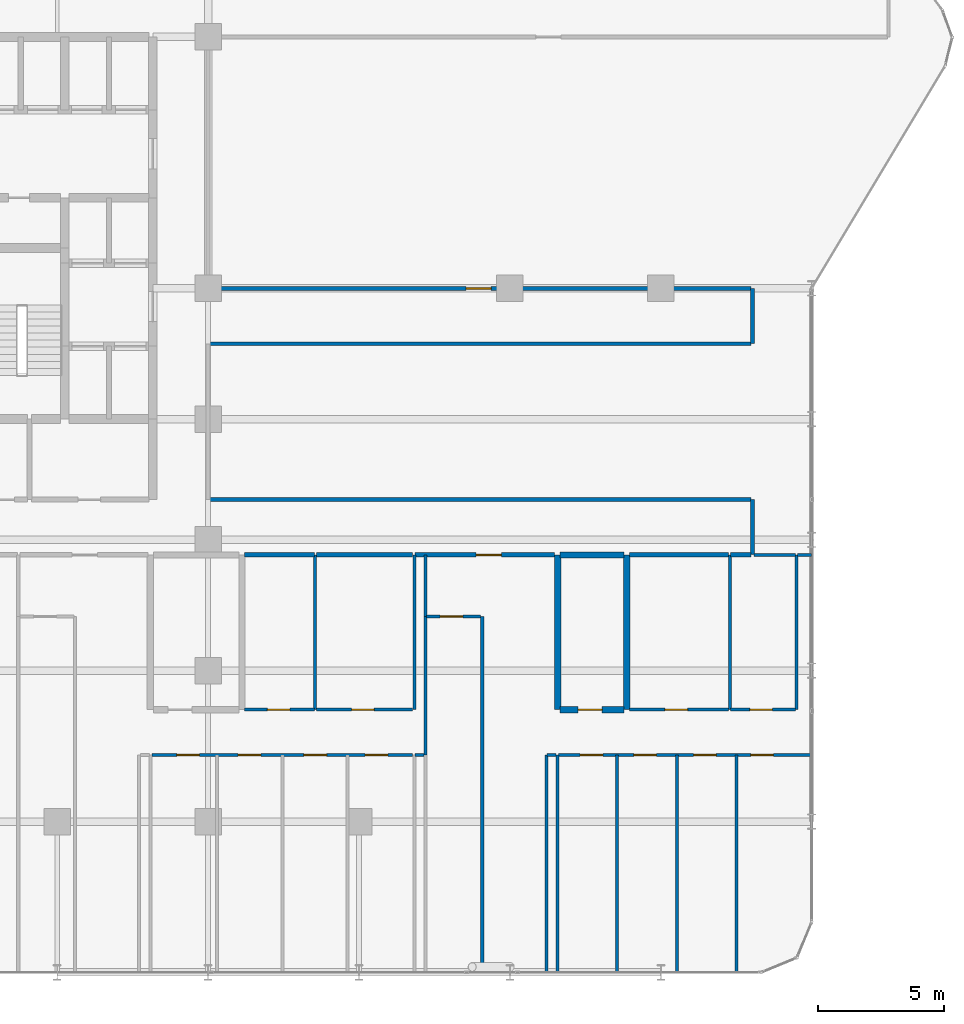
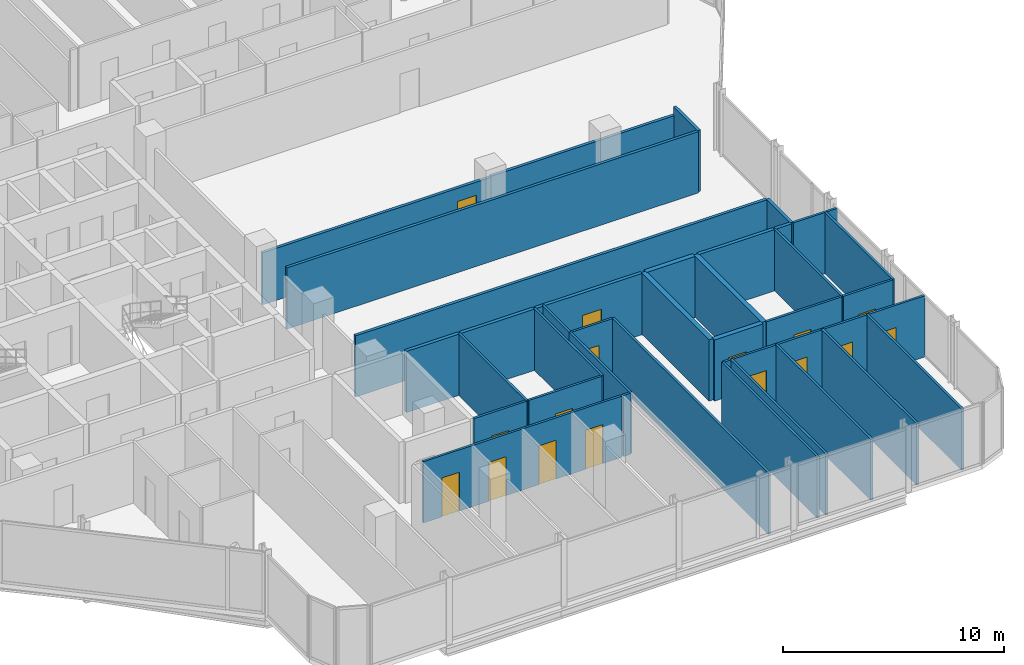
# One storey, part 26 of 30: 38 walls, 16 doors, 16 openings.
"""IFC4 building model written with IfcOpenShell, lengths in metres."""

from ifc_helpers import new_model, si_unit, direction, frame, frame_2d, origin, place, context, subcontext, project, spatial, rectangle, extrude, material, layer, layer_set, type_object, element, fill, save


model = new_model("IFC4")

# Units and contexts
model_context = context("Model", 3, precision=1e-05, world=origin(), true_north=direction((0.0, 1.0)))
body_context = subcontext(model_context, "Body", "Model", "MODEL_VIEW")
ifc_project = project(units=[si_unit("LENGTHUNIT", "METRE"), si_unit("AREAUNIT", "SQUARE_METRE"), si_unit("VOLUMEUNIT", "CUBIC_METRE"), si_unit("PLANEANGLEUNIT", "RADIAN"), si_unit("MASSUNIT", "GRAM", prefix="KILO")], contexts=[model_context])

# Site, building, storey
site_placement = place(None, origin())
site = spatial("IfcSite", under=ifc_project, at=site_placement, CompositionType="ELEMENT")
building_placement = place(site_placement, origin())
building = spatial("IfcBuilding", under=site, at=building_placement, Name="Keshet Zoharim Tower", CompositionType="ELEMENT")
storey_placement = place(building_placement, frame((0.0, 0.0, 90.89990234375)))
storey = spatial("IfcBuildingStorey", under=building, at=storey_placement, Name="L21", CompositionType="ELEMENT", Elevation=90.89990234375)

# Walls
ifc_material_1 = material(Name="Gypsum Plasterboard", Category="gypsum")
ifc_layer_1 = layer(ifc_material_1, 0.14990234375)
ifc_layer_set_1 = layer_set([ifc_layer_1], Name="Gypsum Plasterboard")
wall_type_1 = type_object("IfcWallType", Name="WL-CLIN-150", PredefinedType="STANDARD", material=ifc_layer_set_1)
wall_1_placement = place(storey_placement, frame((54.64990234375, 17.31005859375, 0.0), z_axis=(0.0, 0.0, 1.0), x_axis=(0.0, 1.0, 0.0)))
element("IfcWall", 1, at=wall_1_placement, inside=storey, type_object=wall_type_1, Name="L21 Interior Wall 108", PredefinedType="STANDARD", context=body_context, shape_type="SweptSolid", body=[
    extrude(rectangle(XDim=2.18994140625, YDim=0.14990234375, at=frame_2d((1.094970703125, 0.0))), origin(), (0.0, 0.0, 1.0), 3.385009765625),
])
wall_2_placement = place(storey_placement, frame((54.64990234375, 25.699951171875, 0.0), z_axis=(0.0, 0.0, 1.0), x_axis=(0.0, 1.0, 0.0)))
element("IfcWall", 2, at=wall_2_placement, inside=storey, type_object=wall_type_1, Name="L21 Interior Wall 109", PredefinedType="STANDARD", context=body_context, shape_type="SweptSolid", body=[
    extrude(rectangle(XDim=2.199951171875, YDim=0.14990234375, at=frame_2d((1.10009765625, 0.0))), origin(), (0.0, 0.0, 1.0), 3.385009765625),
])
for number, where, z_axis, x_axis, name in (
    (3, (33.070068359375, 19.5, 0.0), (0.0, 0.0, 1.0), (1.0, 0.0, 0.0), "L21 Interior Wall 146"),
    (4, (33.070068359375, 25.699951171875, 0.0), (0.0, 0.0, 1.0), (1.0, 0.0, 0.0), "L21 Interior Wall 160"),
):
    element("IfcWall", number, at=place(storey_placement, frame(where, z_axis=z_axis, x_axis=x_axis)), inside=storey, type_object=wall_type_1, Name=name, PredefinedType="STANDARD", context=body_context, shape_type="SweptSolid", body=[
        extrude(rectangle(XDim=21.510009765625, YDim=0.14990234375, at=frame_2d((10.7548828125, 0.0))), origin(), (0.0, 0.0, 1.0), 3.385009765625),
    ])

# Wall, opening, door
wall_3_placement = place(storey_placement, frame((33.070068359375, 27.89990234375, 0.0), z_axis=(0.0, 0.0, 1.0), x_axis=(1.0, 0.0, 0.0)))
wall_3 = element("IfcWall", 5, at=wall_3_placement, inside=storey, type_object=wall_type_1, Name="L21 Interior Wall 161", PredefinedType="STANDARD", context=body_context, shape_type="SweptSolid", body=[
    extrude(rectangle(XDim=11.929931640625, YDim=0.14990234375, at=frame_2d((5.96484375, 0.0))), origin(), (0.0, 0.0, 1.0), 2.885009765625),
])
opening_1_placement = place(wall_3_placement, frame((10.18505859375, 0.0, 0.0)))
opening_1 = element("IfcOpeningElement", 6, at=opening_1_placement, cuts=wall_3, Name="Opening D-F310", PredefinedType="OPENING", context=body_context, shape_type="SweptSolid", body=[
    extrude(rectangle(XDim=1.0, YDim=2.14990234375, at=frame_2d((0.5, 1.074951171875))), frame((0.0, 0.0849609375, 0.0), z_axis=(0.0, -1.0, 0.0), x_axis=(1.0, 0.0, 0.0)), (0.0, 0.0, 1.0), 0.169921875),
])
ifc_material_2 = material(Name="Hardwood Timber", Category="wood")
door_type_1 = type_object("IfcDoorType", Name="DR-FD30-100", OperationType="NOTDEFINED", PredefinedType="DOOR", material=ifc_material_2)
door_1_placement = place(opening_1_placement, origin())
door_1 = element("IfcDoor", 7, at=door_1_placement, inside=storey, type_object=door_type_1, Name="L21 North East Residents Services Suite Door 2", OperationType="SINGLE_SWING_LEFT", OverallHeight=2.14990234375, OverallWidth=1.0, PredefinedType="DOOR", context=body_context, shape_type="SweptSolid", body=[
    extrude(rectangle(XDim=1.0, YDim=2.14990234375, at=frame_2d((0.5, 1.074951171875))), frame((0.0, 0.02490234375, 0.0), z_axis=(0.0, -1.0, 0.0), x_axis=(1.0, 0.0, 0.0)), (0.0, 0.0, 1.0), 0.050048828125),
])
fill(opening_1, door_1)

# Walls
wall_4_placement = place(storey_placement, frame((45.0, 27.89990234375, 0.0), z_axis=(0.0, 0.0, 1.0), x_axis=(1.0, 0.0, 0.0)))
element("IfcWall", 8, at=wall_4_placement, inside=storey, type_object=wall_type_1, Name="L21 Interior Wall 161 Part 2", PredefinedType="STANDARD", context=body_context, shape_type="SweptSolid", body=[
    extrude(rectangle(XDim=9.580078125, YDim=0.14990234375, at=frame_2d((4.7900390625, 0.0))), origin(), (0.0, 0.0, 1.0), 2.93505859375),
])
ifc_layer_2 = layer(ifc_material_1, 0.179931640625)
ifc_layer_set_2 = layer_set([ifc_layer_2], Name="Gypsum Plasterboard")
wall_type_2 = type_object("IfcWallType", Name="WL-CORR-180", PredefinedType="STANDARD", material=ifc_layer_set_2)
wall_5_placement = place(storey_placement, frame((34.448974609375, 17.300048828125, 0.0), z_axis=(0.0, 0.0, 1.0), x_axis=(1.0, 0.0, 0.0)))
element("IfcWall", 9, at=wall_5_placement, inside=storey, type_object=wall_type_2, Name="L21 Interior Wall 134", PredefinedType="STANDARD", context=body_context, shape_type="SweptSolid", body=[
    extrude(rectangle(XDim=2.77392578125, YDim=0.179931640625, at=frame_2d((1.386962890625, 0.0))), origin(), (0.0, 0.0, 1.0), 3.385009765625),
])
wall_6_placement = place(storey_placement, frame((37.31298828125, 17.300048828125, 0.0), z_axis=(0.0, 0.0, 1.0), x_axis=(1.0, 0.0, 0.0)))
element("IfcWall", 10, at=wall_6_placement, inside=storey, type_object=wall_type_2, Name="L21 Interior Wall 135", PredefinedType="STANDARD", context=body_context, shape_type="SweptSolid", body=[
    extrude(rectangle(XDim=3.822021484375, YDim=0.179931640625, at=frame_2d((1.9111328125, 0.0))), origin(), (0.0, 0.0, 1.0), 3.385009765625),
])

# Wall, opening, door
wall_7_placement = place(storey_placement, frame((41.22509765625, 17.300048828125, 0.0), z_axis=(0.0, 0.0, 1.0), x_axis=(1.0, 0.0, 0.0)))
wall_7 = element("IfcWall", 11, at=wall_7_placement, inside=storey, type_object=wall_type_2, Name="L21 Interior Wall 136", PredefinedType="STANDARD", context=body_context, shape_type="SweptSolid", body=[
    extrude(rectangle(XDim=5.544921875, YDim=0.179931640625, at=frame_2d((2.7724609375, 0.0))), origin(), (0.0, 0.0, 1.0), 3.385009765625),
])
opening_2_placement = place(wall_7_placement, frame((2.43505859375, 0.0, 0.0)))
opening_2 = element("IfcOpeningElement", 12, at=opening_2_placement, cuts=wall_7, Name="Opening D-F310", PredefinedType="OPENING", context=body_context, shape_type="SweptSolid", body=[
    extrude(rectangle(XDim=1.0, YDim=2.14990234375, at=frame_2d((0.5, 1.074951171875))), frame((0.0, 0.10009765625, 0.0), z_axis=(0.0, -1.0, 0.0), x_axis=(1.0, 0.0, 0.0)), (0.0, 0.0, 1.0), 0.199951171875),
])
door_2_placement = place(opening_2_placement, origin())
door_2 = element("IfcDoor", 13, at=door_2_placement, inside=storey, type_object=door_type_1, Name="Apartment 2103 Entrance Door", OperationType="SINGLE_SWING_LEFT", OverallHeight=2.14990234375, OverallWidth=1.0, PredefinedType="DOOR", context=body_context, shape_type="SweptSolid", body=[
    extrude(rectangle(XDim=1.0, YDim=2.14990234375, at=frame_2d((0.5, 1.074951171875))), frame((0.0, 0.02490234375, 0.0), z_axis=(0.0, -1.0, 0.0), x_axis=(1.0, 0.0, 0.0)), (0.0, 0.0, 1.0), 0.050048828125),
])
fill(opening_2, door_2)

# Walls
wall_8_placement = place(storey_placement, frame((49.748046875, 17.300048828125, 0.0), z_axis=(0.0, 0.0, 1.0), x_axis=(1.0, 0.0, 0.0)))
element("IfcWall", 14, at=wall_8_placement, inside=storey, type_object=wall_type_2, Name="L21 Interior Wall 138", PredefinedType="STANDARD", context=body_context, shape_type="SweptSolid", body=[
    extrude(rectangle(XDim=3.933837890625, YDim=0.179931640625, at=frame_2d((1.966796875, 0.0))), origin(), (0.0, 0.0, 1.0), 3.385009765625),
])
wall_9_placement = place(storey_placement, frame((53.77197265625, 17.300048828125, 0.0), z_axis=(0.0, 0.0, 1.0), x_axis=(1.0, 0.0, 0.0)))
element("IfcWall", 15, at=wall_9_placement, inside=storey, type_object=wall_type_2, Name="L21 Interior Wall 139", PredefinedType="STANDARD", context=body_context, shape_type="SweptSolid", body=[
    extrude(rectangle(XDim=0.80810546875, YDim=0.179931640625, at=frame_2d((0.404052734375, 0.0))), origin(), (0.0, 0.0, 1.0), 3.385009765625),
])
ifc_material_3 = material(Name="Concrete C50/60", Category="concrete")
ifc_layer_3 = layer(ifc_material_3, 0.25)
ifc_layer_set_3 = layer_set([ifc_layer_3], Name="Concrete C50/60")
wall_type_3 = type_object("IfcWallType", Name="WL-MAMAD-250", PredefinedType="STANDARD", material=ifc_layer_set_3)
for number, where, z_axis, x_axis, name in (
    (16, (46.89990234375, 11.14990234375, 0.0), (0.0, 0.0, 1.0), (0.0, 1.0, 0.0), "L21 Interior Wall 097"),
    (17, (49.64990234375, 11.14990234375, 0.0), (0.0, 0.0, 1.0), (0.0, 1.0, 0.0), "L21 Interior Wall 100"),
):
    element("IfcWall", number, at=place(storey_placement, frame(where, z_axis=z_axis, x_axis=x_axis)), inside=storey, type_object=wall_type_3, Name=name, PredefinedType="STANDARD", context=body_context, shape_type="SweptSolid", body=[
        extrude(rectangle(XDim=6.150146484375, YDim=0.25, at=frame_2d((3.0751953125, 0.0))), origin(), (0.0, 0.0, 1.0), 3.385009765625),
    ])

# Wall, opening, door
wall_10_placement = place(storey_placement, frame((46.989990234375, 11.14990234375, 0.0), z_axis=(0.0, 0.0, 1.0), x_axis=(1.0, 0.0, 0.0)))
wall_10 = element("IfcWall", 18, at=wall_10_placement, inside=storey, type_object=wall_type_3, Name="L21 Interior Wall 121", PredefinedType="STANDARD", context=body_context, shape_type="SweptSolid", body=[
    extrude(rectangle(XDim=2.5380859375, YDim=0.25, at=frame_2d((1.26904296875, 0.0))), origin(), (0.0, 0.0, 1.0), 3.385009765625),
])
opening_3_placement = place(wall_10_placement, frame((0.721923828125, 0.0, 0.0)))
opening_3 = element("IfcOpeningElement", 19, at=opening_3_placement, cuts=wall_10, Name="Opening D-F695", PredefinedType="OPENING", context=body_context, shape_type="SweptSolid", body=[
    extrude(rectangle(XDim=0.949951171875, YDim=2.14990234375, at=frame_2d((0.47509765625, 1.074951171875))), frame((0.0, 0.135009765625, 0.0), z_axis=(0.0, -1.0, 0.0), x_axis=(1.0, 0.0, 0.0)), (0.0, 0.0, 1.0), 0.27001953125),
])
door_type_2 = type_object("IfcDoorType", Name="DR-FD60-095", OperationType="NOTDEFINED", PredefinedType="DOOR", material=ifc_material_2)
door_3_placement = place(opening_3_placement, origin())
door_3 = element("IfcDoor", 20, at=door_3_placement, inside=storey, type_object=door_type_2, Name="Apartment 2103 Study and Shelter Room Door", OperationType="SINGLE_SWING_RIGHT", OverallHeight=2.14990234375, OverallWidth=0.949951171875, PredefinedType="DOOR", context=body_context, shape_type="SweptSolid", body=[
    extrude(rectangle(XDim=0.949951171875, YDim=2.14990234375, at=frame_2d((0.47509765625, 1.074951171875))), frame((0.0, 0.02490234375, 0.0), z_axis=(0.0, -1.0, 0.0), x_axis=(1.0, 0.0, 0.0)), (0.0, 0.0, 1.0), 0.050048828125),
])
fill(opening_3, door_3)

# Walls
wall_11_placement = place(storey_placement, frame((46.989990234375, 17.300048828125, 0.0), z_axis=(0.0, 0.0, 1.0), x_axis=(1.0, 0.0, 0.0)))
element("IfcWall", 21, at=wall_11_placement, inside=storey, type_object=wall_type_3, Name="L21 Interior Wall 137", PredefinedType="STANDARD", context=body_context, shape_type="SweptSolid", body=[
    extrude(rectangle(XDim=2.5380859375, YDim=0.25, at=frame_2d((1.26904296875, 0.0))), origin(), (0.0, 0.0, 1.0), 3.385009765625),
])
ifc_layer_4 = layer(ifc_material_1, 0.1201171875)
ifc_layer_set_4 = layer_set([ifc_layer_4], Name="Gypsum Plasterboard")
wall_type_4 = type_object("IfcWallType", Name="WL-PART-120", PredefinedType="PARTITIONING", material=ifc_layer_set_4)
wall_12_placement = place(storey_placement, frame((41.199951171875, 11.14990234375, 0.0), z_axis=(0.0, 0.0, 1.0), x_axis=(0.0, 1.0, 0.0)))
element("IfcWall", 22, at=wall_12_placement, inside=storey, type_object=wall_type_4, Name="L21 Interior Wall 084", PredefinedType="PARTITIONING", context=body_context, shape_type="SweptSolid", body=[
    extrude(rectangle(XDim=6.150146484375, YDim=0.1201171875, at=frame_2d((3.0751953125, 0.0))), origin(), (0.0, 0.0, 1.0), 3.385009765625),
])
wall_13_placement = place(storey_placement, frame((41.64990234375, 9.35009765625, 0.0), z_axis=(0.0, 0.0, 1.0), x_axis=(0.0, 1.0, 0.0)))
element("IfcWall", 23, at=wall_13_placement, inside=storey, type_object=wall_type_4, Name="L21 Interior Wall 086", PredefinedType="PARTITIONING", context=body_context, shape_type="SweptSolid", body=[
    extrude(rectangle(XDim=5.5, YDim=0.1201171875, at=frame_2d((2.75, 0.0))), origin(), (0.0, 0.0, 1.0), 3.385009765625),
])
wall_14_placement = place(storey_placement, frame((41.64990234375, 14.85009765625, 0.0), z_axis=(0.0, 0.0, 1.0), x_axis=(0.0, 1.0, 0.0)))
element("IfcWall", 24, at=wall_14_placement, inside=storey, type_object=wall_type_4, Name="L21 Interior Wall 087", PredefinedType="PARTITIONING", context=body_context, shape_type="SweptSolid", body=[
    extrude(rectangle(XDim=2.449951171875, YDim=0.1201171875, at=frame_2d((1.22509765625, 0.0))), origin(), (0.0, 0.0, 1.0), 3.385009765625),
])
wall_15_placement = place(storey_placement, frame((43.89990234375, 0.7099609375, 0.0), z_axis=(0.0, 0.0, 1.0), x_axis=(0.0, 1.0, 0.0)))
element("IfcWall", 25, at=wall_15_placement, inside=storey, type_object=wall_type_4, Name="L21 Interior Wall 089", PredefinedType="PARTITIONING", context=body_context, shape_type="SweptSolid", body=[
    extrude(rectangle(XDim=14.14013671875, YDim=0.1201171875, at=frame_2d((7.070068359375, 0.0))), origin(), (0.0, 0.0, 1.0), 3.385009765625),
])
for number, where, z_axis, x_axis, name in (
    (26, (46.449951171875, 0.7099609375, 0.0), (0.0, 0.0, 1.0), (0.0, 1.0, 0.0), "L21 Interior Wall 095"),
    (27, (46.89990234375, 0.7099609375, 0.0), (0.0, 0.0, 1.0), (0.0, 1.0, 0.0), "L21 Interior Wall 096"),
    (28, (49.25, 0.7099609375, 0.0), (0.0, 0.0, 1.0), (0.0, 1.0, 0.0), "L21 Interior Wall 099"),
    (29, (51.64990234375, 0.7099609375, 0.0), (0.0, 0.0, 1.0), (0.0, 1.0, 0.0), "L21 Interior Wall 104"),
    (30, (54.0, 0.7099609375, 0.0), (0.0, 0.0, 1.0), (0.0, 1.0, 0.0), "L21 Interior Wall 106"),
):
    element("IfcWall", number, at=place(storey_placement, frame(where, z_axis=z_axis, x_axis=x_axis)), inside=storey, type_object=wall_type_4, Name=name, PredefinedType="PARTITIONING", context=body_context, shape_type="SweptSolid", body=[
        extrude(rectangle(XDim=8.64013671875, YDim=0.1201171875, at=frame_2d((4.320068359375, 0.0))), origin(), (0.0, 0.0, 1.0), 3.385009765625),
    ])

# Wall, openings, doors
wall_16_placement = place(storey_placement, frame((30.764892578125, 9.35009765625, 0.0), z_axis=(0.0, 0.0, 1.0), x_axis=(1.0, 0.0, 0.0)))
wall_16 = element("IfcWall", 31, at=wall_16_placement, inside=storey, type_object=wall_type_4, Name="L21 Interior Wall 114", PredefinedType="PARTITIONING", context=body_context, shape_type="SweptSolid", body=[
    extrude(rectangle(XDim=10.3701171875, YDim=0.1201171875, at=frame_2d((5.18505859375, 0.0))), origin(), (0.0, 0.0, 1.0), 3.385009765625),
])
opening_4_placement = place(wall_16_placement, frame((0.988037109375, 0.0, 0.0)))
opening_4 = element("IfcOpeningElement", 32, at=opening_4_placement, cuts=wall_16, Name="Opening D-IN90", PredefinedType="OPENING", context=body_context, shape_type="SweptSolid", body=[
    extrude(rectangle(XDim=0.89990234375, YDim=2.14990234375, at=frame_2d((0.449951171875, 1.074951171875))), frame((0.0, 0.070068359375, 0.0), z_axis=(0.0, -1.0, 0.0), x_axis=(1.0, 0.0, 0.0)), (0.0, 0.0, 1.0), 0.14013671875),
])
opening_5_placement = place(wall_16_placement, frame((3.427978515625, 0.0, 0.0)))
opening_5 = element("IfcOpeningElement", 33, at=opening_5_placement, cuts=wall_16, Name="Opening D-IN90", PredefinedType="OPENING", context=body_context, shape_type="SweptSolid", body=[
    extrude(rectangle(XDim=0.89990234375, YDim=2.14990234375, at=frame_2d((0.449951171875, 1.074951171875))), frame((0.0, 0.070068359375, 0.0), z_axis=(0.0, -1.0, 0.0), x_axis=(1.0, 0.0, 0.0)), (0.0, 0.0, 1.0), 0.14013671875),
])
opening_6_placement = place(wall_16_placement, frame((6.04296875, 0.0, 0.0)))
opening_6 = element("IfcOpeningElement", 34, at=opening_6_placement, cuts=wall_16, Name="Opening D-IN90", PredefinedType="OPENING", context=body_context, shape_type="SweptSolid", body=[
    extrude(rectangle(XDim=0.89990234375, YDim=2.14990234375, at=frame_2d((0.449951171875, 1.074951171875))), frame((0.0, 0.070068359375, 0.0), z_axis=(0.0, -1.0, 0.0), x_axis=(1.0, 0.0, 0.0)), (0.0, 0.0, 1.0), 0.14013671875),
])
opening_7_placement = place(wall_16_placement, frame((8.48193359375, 0.0, 0.0)))
opening_7 = element("IfcOpeningElement", 35, at=opening_7_placement, cuts=wall_16, Name="Opening D-IN90", PredefinedType="OPENING", context=body_context, shape_type="SweptSolid", body=[
    extrude(rectangle(XDim=0.89990234375, YDim=2.14990234375, at=frame_2d((0.449951171875, 1.074951171875))), frame((0.0, 0.070068359375, 0.0), z_axis=(0.0, -1.0, 0.0), x_axis=(1.0, 0.0, 0.0)), (0.0, 0.0, 1.0), 0.14013671875),
])
door_type_3 = type_object("IfcDoorType", Name="DR-INT-090", OperationType="NOTDEFINED", PredefinedType="DOOR", material=ifc_material_2)
door_4_placement = place(opening_4_placement, origin())
door_4 = element("IfcDoor", 36, at=door_4_placement, inside=storey, type_object=door_type_3, Name="Apartment 2102 Bedroom 1 Door", OperationType="SINGLE_SWING_LEFT", OverallHeight=2.14990234375, OverallWidth=0.89990234375, PredefinedType="DOOR", context=body_context, shape_type="SweptSolid", body=[
    extrude(rectangle(XDim=0.89990234375, YDim=2.14990234375, at=frame_2d((0.449951171875, 1.074951171875))), frame((0.0, 0.02490234375, 0.0), z_axis=(0.0, -1.0, 0.0), x_axis=(1.0, 0.0, 0.0)), (0.0, 0.0, 1.0), 0.050048828125),
])
fill(opening_4, door_4)
door_5_placement = place(opening_5_placement, origin())
door_5 = element("IfcDoor", 37, at=door_5_placement, inside=storey, type_object=door_type_3, Name="Apartment 2102 Bedroom 2 Door", OperationType="SINGLE_SWING_RIGHT", OverallHeight=2.14990234375, OverallWidth=0.89990234375, PredefinedType="DOOR", context=body_context, shape_type="SweptSolid", body=[
    extrude(rectangle(XDim=0.89990234375, YDim=2.14990234375, at=frame_2d((0.449951171875, 1.074951171875))), frame((0.0, 0.02490234375, 0.0), z_axis=(0.0, -1.0, 0.0), x_axis=(1.0, 0.0, 0.0)), (0.0, 0.0, 1.0), 0.050048828125),
])
fill(opening_5, door_5)
door_6_placement = place(opening_6_placement, origin())
door_6 = element("IfcDoor", 38, at=door_6_placement, inside=storey, type_object=door_type_3, Name="Apartment 2102 Bedroom 3 Door", OperationType="SINGLE_SWING_LEFT", OverallHeight=2.14990234375, OverallWidth=0.89990234375, PredefinedType="DOOR", context=body_context, shape_type="SweptSolid", body=[
    extrude(rectangle(XDim=0.89990234375, YDim=2.14990234375, at=frame_2d((0.449951171875, 1.074951171875))), frame((0.0, 0.02490234375, 0.0), z_axis=(0.0, -1.0, 0.0), x_axis=(1.0, 0.0, 0.0)), (0.0, 0.0, 1.0), 0.050048828125),
])
fill(opening_6, door_6)
door_7_placement = place(opening_7_placement, origin())
door_7 = element("IfcDoor", 39, at=door_7_placement, inside=storey, type_object=door_type_3, Name="Apartment 2102 Bedroom 4 Door", OperationType="SINGLE_SWING_RIGHT", OverallHeight=2.14990234375, OverallWidth=0.89990234375, PredefinedType="DOOR", context=body_context, shape_type="SweptSolid", body=[
    extrude(rectangle(XDim=0.89990234375, YDim=2.14990234375, at=frame_2d((0.449951171875, 1.074951171875))), frame((0.0, 0.02490234375, 0.0), z_axis=(0.0, -1.0, 0.0), x_axis=(1.0, 0.0, 0.0)), (0.0, 0.0, 1.0), 0.050048828125),
])
fill(opening_7, door_7)

# Walls
for number, where, z_axis, x_axis, name in (
    (40, (41.22509765625, 9.35009765625, 0.0), (0.0, 0.0, 1.0), (1.0, 0.0, 0.0), "L21 Interior Wall 115"),
    (41, (46.47509765625, 9.35009765625, 0.0), (0.0, 0.0, 1.0), (1.0, 0.0, 0.0), "L21 Interior Wall 116"),
):
    element("IfcWall", number, at=place(storey_placement, frame(where, z_axis=z_axis, x_axis=x_axis)), inside=storey, type_object=wall_type_4, Name=name, PredefinedType="PARTITIONING", context=body_context, shape_type="SweptSolid", body=[
        extrude(rectangle(XDim=0.35986328125, YDim=0.1201171875, at=frame_2d((0.179931640625, 0.0))), origin(), (0.0, 0.0, 1.0), 3.385009765625),
    ])

# Wall, openings, doors
wall_17_placement = place(storey_placement, frame((46.925048828125, 9.35009765625, 0.0), z_axis=(0.0, 0.0, 1.0), x_axis=(1.0, 0.0, 0.0)))
wall_17 = element("IfcWall", 42, at=wall_17_placement, inside=storey, type_object=wall_type_4, Name="L21 Interior Wall 117", PredefinedType="PARTITIONING", context=body_context, shape_type="SweptSolid", body=[
    extrude(rectangle(XDim=10.06494140625, YDim=0.1201171875, at=frame_2d((5.032470703125, 0.0))), origin(), (0.0, 0.0, 1.0), 3.385009765625),
])
opening_8_placement = place(wall_17_placement, frame((0.868896484375, 0.0, 0.0)))
opening_8 = element("IfcOpeningElement", 43, at=opening_8_placement, cuts=wall_17, Name="Opening D-IN90", PredefinedType="OPENING", context=body_context, shape_type="SweptSolid", body=[
    extrude(rectangle(XDim=0.89990234375, YDim=2.14990234375, at=frame_2d((0.449951171875, 1.074951171875))), frame((0.0, 0.070068359375, 0.0), z_axis=(0.0, -1.0, 0.0), x_axis=(1.0, 0.0, 0.0)), (0.0, 0.0, 1.0), 0.14013671875),
])
opening_9_placement = place(wall_17_placement, frame((3.0009765625, 0.0, 0.0)))
opening_9 = element("IfcOpeningElement", 44, at=opening_9_placement, cuts=wall_17, Name="Opening D-IN90", PredefinedType="OPENING", context=body_context, shape_type="SweptSolid", body=[
    extrude(rectangle(XDim=0.89990234375, YDim=2.14990234375, at=frame_2d((0.449951171875, 1.074951171875))), frame((0.0, 0.070068359375, 0.0), z_axis=(0.0, -1.0, 0.0), x_axis=(1.0, 0.0, 0.0)), (0.0, 0.0, 1.0), 0.14013671875),
])
opening_10_placement = place(wall_17_placement, frame((5.3779296875, 0.0, 0.0)))
opening_10 = element("IfcOpeningElement", 45, at=opening_10_placement, cuts=wall_17, Name="Opening D-IN90", PredefinedType="OPENING", context=body_context, shape_type="SweptSolid", body=[
    extrude(rectangle(XDim=0.89990234375, YDim=2.14990234375, at=frame_2d((0.449951171875, 1.074951171875))), frame((0.0, 0.070068359375, 0.0), z_axis=(0.0, -1.0, 0.0), x_axis=(1.0, 0.0, 0.0)), (0.0, 0.0, 1.0), 0.14013671875),
])
opening_11_placement = place(wall_17_placement, frame((7.65087890625, 0.0, 0.0)))
opening_11 = element("IfcOpeningElement", 46, at=opening_11_placement, cuts=wall_17, Name="Opening D-IN90", PredefinedType="OPENING", context=body_context, shape_type="SweptSolid", body=[
    extrude(rectangle(XDim=0.89990234375, YDim=2.14990234375, at=frame_2d((0.449951171875, 1.074951171875))), frame((0.0, 0.070068359375, 0.0), z_axis=(0.0, -1.0, 0.0), x_axis=(1.0, 0.0, 0.0)), (0.0, 0.0, 1.0), 0.14013671875),
])
door_8_placement = place(opening_8_placement, origin())
door_8 = element("IfcDoor", 47, at=door_8_placement, inside=storey, type_object=door_type_3, Name="Apartment 2103 Bedroom 1 Door", OperationType="SINGLE_SWING_LEFT", OverallHeight=2.14990234375, OverallWidth=0.89990234375, PredefinedType="DOOR", context=body_context, shape_type="SweptSolid", body=[
    extrude(rectangle(XDim=0.89990234375, YDim=2.14990234375, at=frame_2d((0.449951171875, 1.074951171875))), frame((0.0, 0.02490234375, 0.0), z_axis=(0.0, -1.0, 0.0), x_axis=(1.0, 0.0, 0.0)), (0.0, 0.0, 1.0), 0.050048828125),
])
fill(opening_8, door_8)
door_9_placement = place(opening_9_placement, origin())
door_9 = element("IfcDoor", 48, at=door_9_placement, inside=storey, type_object=door_type_3, Name="Apartment 2103 Bedroom 2 Door", OperationType="SINGLE_SWING_RIGHT", OverallHeight=2.14990234375, OverallWidth=0.89990234375, PredefinedType="DOOR", context=body_context, shape_type="SweptSolid", body=[
    extrude(rectangle(XDim=0.89990234375, YDim=2.14990234375, at=frame_2d((0.449951171875, 1.074951171875))), frame((0.0, 0.02490234375, 0.0), z_axis=(0.0, -1.0, 0.0), x_axis=(1.0, 0.0, 0.0)), (0.0, 0.0, 1.0), 0.050048828125),
])
fill(opening_9, door_9)
door_10_placement = place(opening_10_placement, origin())
door_10 = element("IfcDoor", 49, at=door_10_placement, inside=storey, type_object=door_type_3, Name="Apartment 2103 Bedroom 3 Door", OperationType="SINGLE_SWING_LEFT", OverallHeight=2.14990234375, OverallWidth=0.89990234375, PredefinedType="DOOR", context=body_context, shape_type="SweptSolid", body=[
    extrude(rectangle(XDim=0.89990234375, YDim=2.14990234375, at=frame_2d((0.449951171875, 1.074951171875))), frame((0.0, 0.02490234375, 0.0), z_axis=(0.0, -1.0, 0.0), x_axis=(1.0, 0.0, 0.0)), (0.0, 0.0, 1.0), 0.050048828125),
])
fill(opening_10, door_10)
door_11_placement = place(opening_11_placement, origin())
door_11 = element("IfcDoor", 50, at=door_11_placement, inside=storey, type_object=door_type_3, Name="Apartment 2103 Bedroom 4 Door", OperationType="SINGLE_SWING_RIGHT", OverallHeight=2.14990234375, OverallWidth=0.89990234375, PredefinedType="DOOR", context=body_context, shape_type="SweptSolid", body=[
    extrude(rectangle(XDim=0.89990234375, YDim=2.14990234375, at=frame_2d((0.449951171875, 1.074951171875))), frame((0.0, 0.02490234375, 0.0), z_axis=(0.0, -1.0, 0.0), x_axis=(1.0, 0.0, 0.0)), (0.0, 0.0, 1.0), 0.050048828125),
])
fill(opening_11, door_11)

# Wall, opening, door
wall_18_placement = place(storey_placement, frame((37.31298828125, 11.14990234375, 0.0), z_axis=(0.0, 0.0, 1.0), x_axis=(1.0, 0.0, 0.0)))
wall_18 = element("IfcWall", 51, at=wall_18_placement, inside=storey, type_object=wall_type_4, Name="L21 Interior Wall 120", PredefinedType="PARTITIONING", context=body_context, shape_type="SweptSolid", body=[
    extrude(rectangle(XDim=3.822021484375, YDim=0.1201171875, at=frame_2d((1.9111328125, 0.0))), origin(), (0.0, 0.0, 1.0), 3.385009765625),
])
opening_12_placement = place(wall_18_placement, frame((1.387939453125, 0.0, 0.0)))
opening_12 = element("IfcOpeningElement", 52, at=opening_12_placement, cuts=wall_18, Name="Opening D-IN90", PredefinedType="OPENING", context=body_context, shape_type="SweptSolid", body=[
    extrude(rectangle(XDim=0.89990234375, YDim=2.14990234375, at=frame_2d((0.449951171875, 1.074951171875))), frame((0.0, 0.070068359375, 0.0), z_axis=(0.0, -1.0, 0.0), x_axis=(1.0, 0.0, 0.0)), (0.0, 0.0, 1.0), 0.14013671875),
])
door_12_placement = place(opening_12_placement, origin())
door_12 = element("IfcDoor", 53, at=door_12_placement, inside=storey, type_object=door_type_3, Name="Apartment 2102 Kitchen Door", OperationType="SINGLE_SWING_LEFT", OverallHeight=2.14990234375, OverallWidth=0.89990234375, PredefinedType="DOOR", context=body_context, shape_type="SweptSolid", body=[
    extrude(rectangle(XDim=0.89990234375, YDim=2.14990234375, at=frame_2d((0.449951171875, 1.074951171875))), frame((0.0, 0.02490234375, 0.0), z_axis=(0.0, -1.0, 0.0), x_axis=(1.0, 0.0, 0.0)), (0.0, 0.0, 1.0), 0.050048828125),
])
fill(opening_12, door_12)

wall_19_placement = place(storey_placement, frame((49.748046875, 11.14990234375, 0.0), z_axis=(0.0, 0.0, 1.0), x_axis=(1.0, 0.0, 0.0)))
wall_19 = element("IfcWall", 54, at=wall_19_placement, inside=storey, type_object=wall_type_4, Name="L21 Interior Wall 122", PredefinedType="PARTITIONING", context=body_context, shape_type="SweptSolid", body=[
    extrude(rectangle(XDim=3.933837890625, YDim=0.1201171875, at=frame_2d((1.966796875, 0.0))), origin(), (0.0, 0.0, 1.0), 3.385009765625),
])
opening_13_placement = place(wall_19_placement, frame((1.4140625, 0.0, 0.0)))
opening_13 = element("IfcOpeningElement", 55, at=opening_13_placement, cuts=wall_19, Name="Opening D-IN90", PredefinedType="OPENING", context=body_context, shape_type="SweptSolid", body=[
    extrude(rectangle(XDim=0.89990234375, YDim=2.14990234375, at=frame_2d((0.449951171875, 1.074951171875))), frame((0.0, 0.070068359375, 0.0), z_axis=(0.0, -1.0, 0.0), x_axis=(1.0, 0.0, 0.0)), (0.0, 0.0, 1.0), 0.14013671875),
])
door_13_placement = place(opening_13_placement, origin())
door_13 = element("IfcDoor", 56, at=door_13_placement, inside=storey, type_object=door_type_3, Name="Apartment 2103 Kitchen Door", OperationType="SINGLE_SWING_LEFT", OverallHeight=2.14990234375, OverallWidth=0.89990234375, PredefinedType="DOOR", context=body_context, shape_type="SweptSolid", body=[
    extrude(rectangle(XDim=0.89990234375, YDim=2.14990234375, at=frame_2d((0.449951171875, 1.074951171875))), frame((0.0, 0.02490234375, 0.0), z_axis=(0.0, -1.0, 0.0), x_axis=(1.0, 0.0, 0.0)), (0.0, 0.0, 1.0), 0.050048828125),
])
fill(opening_13, door_13)

wall_20_placement = place(storey_placement, frame((41.675048828125, 14.85009765625, 0.0), z_axis=(0.0, 0.0, 1.0), x_axis=(1.0, 0.0, 0.0)))
wall_20 = element("IfcWall", 57, at=wall_20_placement, inside=storey, type_object=wall_type_4, Name="L21 Interior Wall 127", PredefinedType="PARTITIONING", context=body_context, shape_type="SweptSolid", body=[
    extrude(rectangle(XDim=2.159912109375, YDim=0.1201171875, at=frame_2d((1.080078125, 0.0))), origin(), (0.0, 0.0, 1.0), 3.385009765625),
])
opening_14_placement = place(wall_20_placement, frame((0.552978515625, 0.0, 0.0)))
opening_14 = element("IfcOpeningElement", 58, at=opening_14_placement, cuts=wall_20, Name="Opening D-IN90", PredefinedType="OPENING", context=body_context, shape_type="SweptSolid", body=[
    extrude(rectangle(XDim=0.89990234375, YDim=2.14990234375, at=frame_2d((0.449951171875, 1.074951171875))), frame((0.0, 0.070068359375, 0.0), z_axis=(0.0, -1.0, 0.0), x_axis=(1.0, 0.0, 0.0)), (0.0, 0.0, 1.0), 0.14013671875),
])
door_14_placement = place(opening_14_placement, origin())
door_14 = element("IfcDoor", 59, at=door_14_placement, inside=storey, type_object=door_type_3, Name="Apartment 2103 Formal Dining Room Door", OperationType="SINGLE_SWING_RIGHT", OverallHeight=2.14990234375, OverallWidth=0.89990234375, PredefinedType="DOOR", context=body_context, shape_type="SweptSolid", body=[
    extrude(rectangle(XDim=0.89990234375, YDim=2.14990234375, at=frame_2d((0.449951171875, 1.074951171875))), frame((0.0, 0.02490234375, 0.0), z_axis=(0.0, -1.0, 0.0), x_axis=(1.0, 0.0, 0.0)), (0.0, 0.0, 1.0), 0.050048828125),
])
fill(opening_14, door_14)

# Walls
wall_21_placement = place(storey_placement, frame((56.43505859375, 17.300048828125, 0.0), z_axis=(0.0, 0.0, 1.0), x_axis=(1.0, 0.0, 0.0)))
element("IfcWall", 60, at=wall_21_placement, inside=storey, type_object=wall_type_4, Name="L21 Interior Wall 141", PredefinedType="PARTITIONING", context=body_context, shape_type="SweptSolid", body=[
    extrude(rectangle(XDim=0.554931640625, YDim=0.1201171875, at=frame_2d((0.27734375, 0.0))), origin(), (0.0, 0.0, 1.0), 3.385009765625),
])
ifc_layer_5 = layer(ifc_material_1, 0.1201171875)
ifc_layer_set_5 = layer_set([ifc_layer_5], Name="Gypsum Plasterboard")
wall_type_5 = type_object("IfcWallType", Name="WL-WET-120", PredefinedType="PARTITIONING", material=ifc_layer_set_5)
for number, where, z_axis, x_axis, name in (
    (61, (37.25, 11.14990234375, 0.0), (0.0, 0.0, 1.0), (0.0, 1.0, 0.0), "L21 Interior Wall 079"),
    (62, (53.75, 11.14990234375, 0.0), (0.0, 0.0, 1.0), (0.0, 1.0, 0.0), "L21 Interior Wall 105"),
    (63, (56.39990234375, 11.14990234375, 0.0), (0.0, 0.0, 1.0), (0.0, 1.0, 0.0), "L21 Interior Wall 110"),
):
    element("IfcWall", number, at=place(storey_placement, frame(where, z_axis=z_axis, x_axis=x_axis)), inside=storey, type_object=wall_type_5, Name=name, PredefinedType="PARTITIONING", context=body_context, shape_type="SweptSolid", body=[
        extrude(rectangle(XDim=6.150146484375, YDim=0.1201171875, at=frame_2d((3.0751953125, 0.0))), origin(), (0.0, 0.0, 1.0), 3.385009765625),
    ])

# Wall, opening, door
wall_22_placement = place(storey_placement, frame((34.448974609375, 11.14990234375, 0.0), z_axis=(0.0, 0.0, 1.0), x_axis=(1.0, 0.0, 0.0)))
wall_22 = element("IfcWall", 64, at=wall_22_placement, inside=storey, type_object=wall_type_5, Name="L21 Interior Wall 119", PredefinedType="PARTITIONING", context=body_context, shape_type="SweptSolid", body=[
    extrude(rectangle(XDim=2.77392578125, YDim=0.1201171875, at=frame_2d((1.386962890625, 0.0))), origin(), (0.0, 0.0, 1.0), 3.385009765625),
])
opening_15_placement = place(wall_22_placement, frame((0.904052734375, 0.0, 0.0)))
opening_15 = element("IfcOpeningElement", 65, at=opening_15_placement, cuts=wall_22, Name="Opening D-WT90", PredefinedType="OPENING", context=body_context, shape_type="SweptSolid", body=[
    extrude(rectangle(XDim=0.89990234375, YDim=2.10009765625, at=frame_2d((0.449951171875, 1.050048828125))), frame((0.0, 0.070068359375, 0.0), z_axis=(0.0, -1.0, 0.0), x_axis=(1.0, 0.0, 0.0)), (0.0, 0.0, 1.0), 0.14013671875),
])
door_type_4 = type_object("IfcDoorType", Name="DR-WET-090", OperationType="NOTDEFINED", PredefinedType="DOOR", material=ifc_material_2)
door_15_placement = place(opening_15_placement, origin())
door_15 = element("IfcDoor", 66, at=door_15_placement, inside=storey, type_object=door_type_4, Name="Apartment 2102 Bathroom Door", OperationType="SINGLE_SWING_RIGHT", OverallHeight=2.10009765625, OverallWidth=0.89990234375, PredefinedType="DOOR", context=body_context, shape_type="SweptSolid", body=[
    extrude(rectangle(XDim=0.89990234375, YDim=2.10009765625, at=frame_2d((0.449951171875, 1.050048828125))), frame((0.0, 0.02490234375, 0.0), z_axis=(0.0, -1.0, 0.0), x_axis=(1.0, 0.0, 0.0)), (0.0, 0.0, 1.0), 0.050048828125),
])
fill(opening_15, door_15)

wall_23_placement = place(storey_placement, frame((53.77197265625, 11.14990234375, 0.0), z_axis=(0.0, 0.0, 1.0), x_axis=(1.0, 0.0, 0.0)))
wall_23 = element("IfcWall", 67, at=wall_23_placement, inside=storey, type_object=wall_type_5, Name="L21 Interior Wall 123", PredefinedType="PARTITIONING", context=body_context, shape_type="SweptSolid", body=[
    extrude(rectangle(XDim=2.572998046875, YDim=0.1201171875, at=frame_2d((1.28662109375, 0.0))), origin(), (0.0, 0.0, 1.0), 3.385009765625),
])
opening_16_placement = place(wall_23_placement, frame((0.76611328125, 0.0, 0.0)))
opening_16 = element("IfcOpeningElement", 68, at=opening_16_placement, cuts=wall_23, Name="Opening D-WT90", PredefinedType="OPENING", context=body_context, shape_type="SweptSolid", body=[
    extrude(rectangle(XDim=0.89990234375, YDim=2.10009765625, at=frame_2d((0.449951171875, 1.050048828125))), frame((0.0, 0.070068359375, 0.0), z_axis=(0.0, -1.0, 0.0), x_axis=(1.0, 0.0, 0.0)), (0.0, 0.0, 1.0), 0.14013671875),
])
door_16_placement = place(opening_16_placement, origin())
door_16 = element("IfcDoor", 69, at=door_16_placement, inside=storey, type_object=door_type_4, Name="Apartment 2103 Bathroom Door", OperationType="SINGLE_SWING_RIGHT", OverallHeight=2.10009765625, OverallWidth=0.89990234375, PredefinedType="DOOR", context=body_context, shape_type="SweptSolid", body=[
    extrude(rectangle(XDim=0.89990234375, YDim=2.10009765625, at=frame_2d((0.449951171875, 1.050048828125))), frame((0.0, 0.02490234375, 0.0), z_axis=(0.0, -1.0, 0.0), x_axis=(1.0, 0.0, 0.0)), (0.0, 0.0, 1.0), 0.050048828125),
])
fill(opening_16, door_16)

# Wall
wall_24_placement = place(storey_placement, frame((54.7099609375, 17.300048828125, 0.0), z_axis=(0.0, 0.0, 1.0), x_axis=(1.0, 0.0, 0.0)))
element("IfcWall", 70, at=wall_24_placement, inside=storey, type_object=wall_type_5, Name="L21 Interior Wall 140", PredefinedType="PARTITIONING", context=body_context, shape_type="SweptSolid", body=[
    extrude(rectangle(XDim=1.635009765625, YDim=0.1201171875, at=frame_2d((0.8173828125, 0.0))), origin(), (0.0, 0.0, 1.0), 3.385009765625),
])

save(model, "model.ifc")
